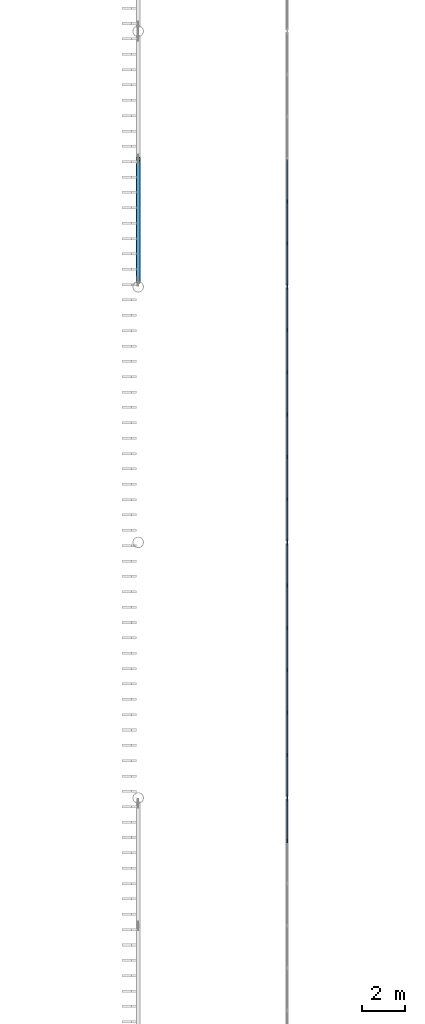
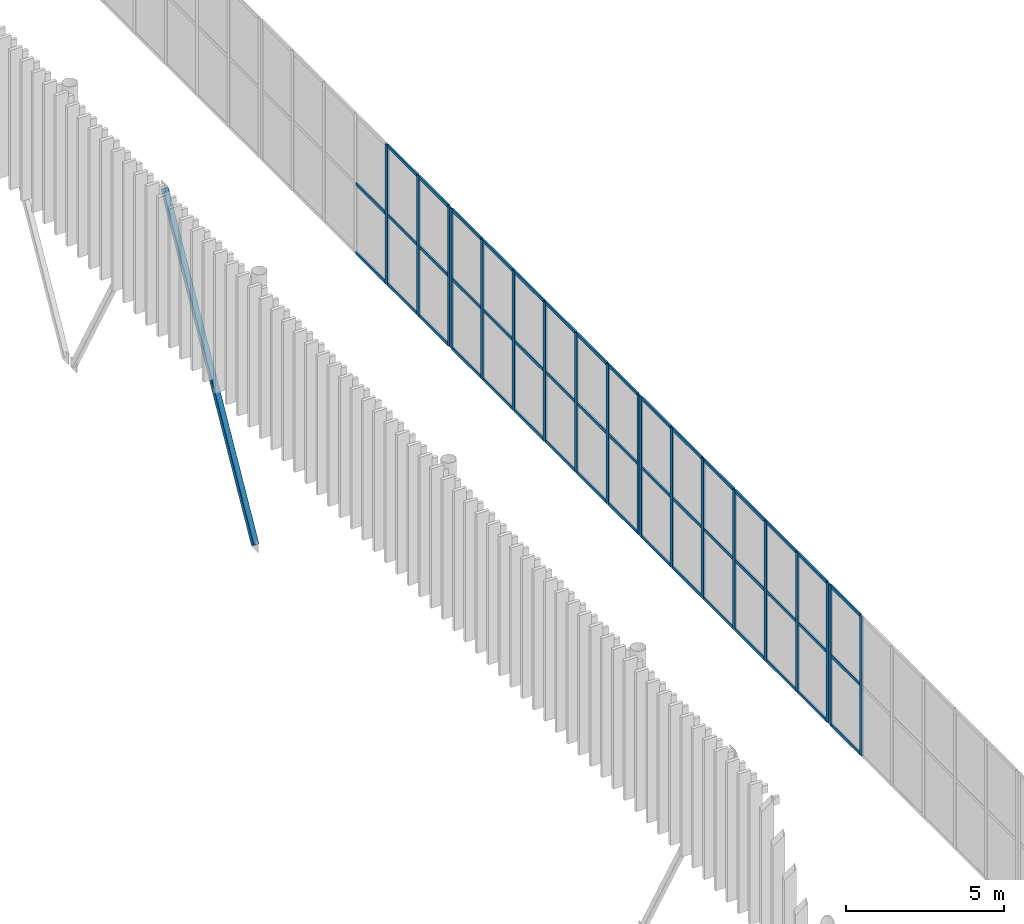
# One storey, part 43 of 170: 67 members, 4 elements without a shape of their own.
"""IFC4 building model written with IfcOpenShell, lengths in metres."""

from ifc_helpers import new_model, si_unit, direction, frame, origin, origin_2d, place, context, subcontext, project, spatial, rectangle, hollow_rectangle, extrude, material, layer, layer_set, material_profile, profile_set, type_object, element, aggregate, save


model = new_model("IFC4")

# Units and contexts
model_context = context("Model", 3, precision=1e-05, world=origin(), true_north=direction((0.0, 1.0)))
body_context = subcontext(model_context, "Body", "Model", "MODEL_VIEW")
ifc_project = project(units=[si_unit("LENGTHUNIT", "METRE"), si_unit("AREAUNIT", "SQUARE_METRE"), si_unit("VOLUMEUNIT", "CUBIC_METRE"), si_unit("PLANEANGLEUNIT", "RADIAN"), si_unit("MASSUNIT", "GRAM", prefix="KILO")], contexts=[model_context])

# Site, building, storey
site_placement = place(None, origin())
site = spatial("IfcSite", under=ifc_project, at=site_placement, CompositionType="ELEMENT")
building_placement = place(site_placement, origin())
building = spatial("IfcBuilding", under=site, at=building_placement, Name="Ravi Spectrum Wholesale Market", CompositionType="ELEMENT")
storey_placement = place(building_placement, frame((0.0, 0.0, 5.39990234375)))
storey = spatial("IfcBuildingStorey", under=building, at=storey_placement, Name="L01", CompositionType="ELEMENT", Elevation=5.39990234375)

# Curtain wall, members
ifc_material_1 = material(Name="Aluminium 6063-T6", Category="aluminium")
ifc_layer = layer(ifc_material_1, 0.14990234375)
ifc_layer_set = layer_set([ifc_layer], Name="Aluminium 6063-T6")
curtain_wall_type = type_object("IfcCurtainWallType", Name="Curtain wall 150", PredefinedType="NOTDEFINED", material=ifc_layer_set)
curtain_wall_1_placement = place(storey_placement, origin())
curtain_wall_1 = element("IfcCurtainWall", 1, at=curtain_wall_1_placement, inside=storey, type_object=curtain_wall_type, Name="H1-CW-L01-004", PredefinedType="NOTDEFINED")
ifc_material_2 = material(Name="Aluminium 6063-T6", Category="aluminium")
ifc_material_profile_1 = material_profile(ifc_material_2, rectangle(XDim=0.06005859375, YDim=0.159912109375, at=origin_2d()))
ifc_profile_set_1 = profile_set([ifc_material_profile_1], Name="Aluminium 6063-T6")
member_type_1 = type_object("IfcMemberType", Name="Mullion 60 x 160", PredefinedType="MULLION", material=ifc_profile_set_1)
member_1_placement = place(storey_placement, frame((37.0, 75.973388671875, 0.0), z_axis=(0.0, 0.0, 1.0), x_axis=(-1.0, 0.0, 0.0)))
member_1 = element("IfcMember", 2, at=member_1_placement, type_object=member_type_1, Name="H1-CW-L01-004 mullion 6", PredefinedType="MULLION", context=body_context, shape_type="SweptSolid", body=[
    extrude(rectangle(XDim=0.06005859375, YDim=0.159912109375, at=origin_2d()), origin(), (0.0, 0.0, 1.0), 5.400146484375),
])
member_2_placement = place(storey_placement, frame((37.0, 77.929931640625, 0.0), z_axis=(0.0, 0.0, 1.0), x_axis=(-1.0, 0.0, 0.0)))
member_2 = element("IfcMember", 3, at=member_2_placement, type_object=member_type_1, Name="H1-CW-L01-004 mullion 7", PredefinedType="MULLION", context=body_context, shape_type="SweptSolid", body=[
    extrude(rectangle(XDim=0.06005859375, YDim=0.159912109375, at=origin_2d()), origin(), (0.0, 0.0, 1.0), 5.400146484375),
])

curtain_wall_2_placement = place(storey_placement, origin())
curtain_wall_2 = element("IfcCurtainWall", 4, at=curtain_wall_2_placement, inside=storey, type_object=curtain_wall_type, Name="H1-CW-L01-005", PredefinedType="NOTDEFINED")
member_3_placement = place(storey_placement, frame((37.0, 78.070068359375, 0.0), z_axis=(0.0, 0.0, 1.0), x_axis=(-1.0, 0.0, 0.0)))
member_3 = element("IfcMember", 5, at=member_3_placement, type_object=member_type_1, Name="H1-CW-L01-005 mullion 1", PredefinedType="MULLION", context=body_context, shape_type="SweptSolid", body=[
    extrude(rectangle(XDim=0.06005859375, YDim=0.159912109375, at=origin_2d()), origin(), (0.0, 0.0, 1.0), 5.400146484375),
])
member_4_placement = place(storey_placement, frame((37.0, 80.026611328125, 0.0), z_axis=(0.0, 0.0, 1.0), x_axis=(-1.0, 0.0, 0.0)))
member_4 = element("IfcMember", 6, at=member_4_placement, type_object=member_type_1, Name="H1-CW-L01-005 mullion 2", PredefinedType="MULLION", context=body_context, shape_type="SweptSolid", body=[
    extrude(rectangle(XDim=0.06005859375, YDim=0.159912109375, at=origin_2d()), origin(), (0.0, 0.0, 1.0), 5.400146484375),
])
member_5_placement = place(storey_placement, frame((37.0, 82.013427734375, 0.0), z_axis=(0.0, 0.0, 1.0), x_axis=(-1.0, 0.0, 0.0)))
member_5 = element("IfcMember", 7, at=member_5_placement, type_object=member_type_1, Name="H1-CW-L01-005 mullion 3", PredefinedType="MULLION", context=body_context, shape_type="SweptSolid", body=[
    extrude(rectangle(XDim=0.06005859375, YDim=0.159912109375, at=origin_2d()), origin(), (0.0, 0.0, 1.0), 5.400146484375),
])
member_6_placement = place(storey_placement, frame((37.0, 84.0, 0.0), z_axis=(0.0, 0.0, 1.0), x_axis=(-1.0, 0.0, 0.0)))
member_6 = element("IfcMember", 8, at=member_6_placement, type_object=member_type_1, Name="H1-CW-L01-005 mullion 4", PredefinedType="MULLION", context=body_context, shape_type="SweptSolid", body=[
    extrude(rectangle(XDim=0.06005859375, YDim=0.159912109375, at=origin_2d()), origin(), (0.0, 0.0, 1.0), 5.400146484375),
])
member_7_placement = place(storey_placement, frame((37.0, 85.986572265625, 0.0), z_axis=(0.0, 0.0, 1.0), x_axis=(-1.0, 0.0, 0.0)))
member_7 = element("IfcMember", 9, at=member_7_placement, type_object=member_type_1, Name="H1-CW-L01-005 mullion 5", PredefinedType="MULLION", context=body_context, shape_type="SweptSolid", body=[
    extrude(rectangle(XDim=0.06005859375, YDim=0.159912109375, at=origin_2d()), origin(), (0.0, 0.0, 1.0), 5.400146484375),
])
member_8_placement = place(storey_placement, frame((37.0, 87.973388671875, 0.0), z_axis=(0.0, 0.0, 1.0), x_axis=(-1.0, 0.0, 0.0)))
member_8 = element("IfcMember", 10, at=member_8_placement, type_object=member_type_1, Name="H1-CW-L01-005 mullion 6", PredefinedType="MULLION", context=body_context, shape_type="SweptSolid", body=[
    extrude(rectangle(XDim=0.06005859375, YDim=0.159912109375, at=origin_2d()), origin(), (0.0, 0.0, 1.0), 5.400146484375),
])
member_9_placement = place(storey_placement, frame((37.0, 89.929931640625, 0.0), z_axis=(0.0, 0.0, 1.0), x_axis=(-1.0, 0.0, 0.0)))
member_9 = element("IfcMember", 11, at=member_9_placement, type_object=member_type_1, Name="H1-CW-L01-005 mullion 7", PredefinedType="MULLION", context=body_context, shape_type="SweptSolid", body=[
    extrude(rectangle(XDim=0.06005859375, YDim=0.159912109375, at=origin_2d()), origin(), (0.0, 0.0, 1.0), 5.400146484375),
])

curtain_wall_3_placement = place(storey_placement, origin())
curtain_wall_3 = element("IfcCurtainWall", 12, at=curtain_wall_3_placement, inside=storey, type_object=curtain_wall_type, Name="H1-CW-L01-006", PredefinedType="NOTDEFINED")
member_10_placement = place(storey_placement, frame((37.0, 90.070068359375, 0.0), z_axis=(0.0, 0.0, 1.0), x_axis=(-1.0, 0.0, 0.0)))
member_10 = element("IfcMember", 13, at=member_10_placement, type_object=member_type_1, Name="H1-CW-L01-006 mullion 1", PredefinedType="MULLION", context=body_context, shape_type="SweptSolid", body=[
    extrude(rectangle(XDim=0.06005859375, YDim=0.159912109375, at=origin_2d()), origin(), (0.0, 0.0, 1.0), 5.400146484375),
])
member_11_placement = place(storey_placement, frame((37.0, 92.026611328125, 0.0), z_axis=(0.0, 0.0, 1.0), x_axis=(-1.0, 0.0, 0.0)))
member_11 = element("IfcMember", 14, at=member_11_placement, type_object=member_type_1, Name="H1-CW-L01-006 mullion 2", PredefinedType="MULLION", context=body_context, shape_type="SweptSolid", body=[
    extrude(rectangle(XDim=0.06005859375, YDim=0.159912109375, at=origin_2d()), origin(), (0.0, 0.0, 1.0), 5.400146484375),
])
member_12_placement = place(storey_placement, frame((37.0, 94.013427734375, 0.0), z_axis=(0.0, 0.0, 1.0), x_axis=(-1.0, 0.0, 0.0)))
member_12 = element("IfcMember", 15, at=member_12_placement, type_object=member_type_1, Name="H1-CW-L01-006 mullion 3", PredefinedType="MULLION", context=body_context, shape_type="SweptSolid", body=[
    extrude(rectangle(XDim=0.06005859375, YDim=0.159912109375, at=origin_2d()), origin(), (0.0, 0.0, 1.0), 5.400146484375),
])
member_13_placement = place(storey_placement, frame((37.0, 96.0, 0.0), z_axis=(0.0, 0.0, 1.0), x_axis=(-1.0, 0.0, 0.0)))
member_13 = element("IfcMember", 16, at=member_13_placement, type_object=member_type_1, Name="H1-CW-L01-006 mullion 4", PredefinedType="MULLION", context=body_context, shape_type="SweptSolid", body=[
    extrude(rectangle(XDim=0.06005859375, YDim=0.159912109375, at=origin_2d()), origin(), (0.0, 0.0, 1.0), 5.400146484375),
])
member_14_placement = place(storey_placement, frame((37.0, 97.986572265625, 0.0), z_axis=(0.0, 0.0, 1.0), x_axis=(-1.0, 0.0, 0.0)))
member_14 = element("IfcMember", 17, at=member_14_placement, type_object=member_type_1, Name="H1-CW-L01-006 mullion 5", PredefinedType="MULLION", context=body_context, shape_type="SweptSolid", body=[
    extrude(rectangle(XDim=0.06005859375, YDim=0.159912109375, at=origin_2d()), origin(), (0.0, 0.0, 1.0), 5.400146484375),
])
member_15_placement = place(storey_placement, frame((37.0, 99.973388671875, 0.0), z_axis=(0.0, 0.0, 1.0), x_axis=(-1.0, 0.0, 0.0)))
member_15 = element("IfcMember", 18, at=member_15_placement, type_object=member_type_1, Name="H1-CW-L01-006 mullion 6", PredefinedType="MULLION", context=body_context, shape_type="SweptSolid", body=[
    extrude(rectangle(XDim=0.06005859375, YDim=0.159912109375, at=origin_2d()), origin(), (0.0, 0.0, 1.0), 5.400146484375),
])
member_16_placement = place(storey_placement, frame((37.0, 101.929931640625, 0.0), z_axis=(0.0, 0.0, 1.0), x_axis=(-1.0, 0.0, 0.0)))
member_16 = element("IfcMember", 19, at=member_16_placement, type_object=member_type_1, Name="H1-CW-L01-006 mullion 7", PredefinedType="MULLION", context=body_context, shape_type="SweptSolid", body=[
    extrude(rectangle(XDim=0.06005859375, YDim=0.159912109375, at=origin_2d()), origin(), (0.0, 0.0, 1.0), 5.400146484375),
])

curtain_wall_4_placement = place(storey_placement, origin())
curtain_wall_4 = element("IfcCurtainWall", 20, at=curtain_wall_4_placement, inside=storey, type_object=curtain_wall_type, Name="H1-CW-L01-007", PredefinedType="NOTDEFINED")
member_17_placement = place(storey_placement, frame((37.0, 102.070068359375, 0.0), z_axis=(0.0, 0.0, 1.0), x_axis=(-1.0, 0.0, 0.0)))
member_17 = element("IfcMember", 21, at=member_17_placement, type_object=member_type_1, Name="H1-CW-L01-007 mullion 1", PredefinedType="MULLION", context=body_context, shape_type="SweptSolid", body=[
    extrude(rectangle(XDim=0.06005859375, YDim=0.159912109375, at=origin_2d()), origin(), (0.0, 0.0, 1.0), 5.400146484375),
])
member_18_placement = place(storey_placement, frame((37.0, 104.026611328125, 0.0), z_axis=(0.0, 0.0, 1.0), x_axis=(-1.0, 0.0, 0.0)))
member_18 = element("IfcMember", 22, at=member_18_placement, type_object=member_type_1, Name="H1-CW-L01-007 mullion 2", PredefinedType="MULLION", context=body_context, shape_type="SweptSolid", body=[
    extrude(rectangle(XDim=0.06005859375, YDim=0.159912109375, at=origin_2d()), origin(), (0.0, 0.0, 1.0), 5.400146484375),
])
member_19_placement = place(storey_placement, frame((37.0, 106.013427734375, 0.0), z_axis=(0.0, 0.0, 1.0), x_axis=(-1.0, 0.0, 0.0)))
member_19 = element("IfcMember", 23, at=member_19_placement, type_object=member_type_1, Name="H1-CW-L01-007 mullion 3", PredefinedType="MULLION", context=body_context, shape_type="SweptSolid", body=[
    extrude(rectangle(XDim=0.06005859375, YDim=0.159912109375, at=origin_2d()), origin(), (0.0, 0.0, 1.0), 5.400146484375),
])

# Member
ifc_material_3 = material(Name="Steel S355", Category="steel")
ifc_material_profile_2 = material_profile(ifc_material_3, hollow_rectangle(XDim=0.199951171875, YDim=0.199951171875, WallThickness=0.008056640625, InnerFilletRadius=0.008056640625, OuterFilletRadius=0.01611328125, at=origin_2d()))
ifc_profile_set_2 = profile_set([ifc_material_profile_2], Name="Steel S355")
member_type_2 = type_object("IfcMemberType", Name="SHS 200x200x8 brace", PredefinedType="BRACE", material=ifc_profile_set_2)
member_20_placement = place(storey_placement, frame((30.0, 102.25390625, -5.350830078125), z_axis=(0.0, 0.487151805571, 0.873317306784), x_axis=(-1.0, 0.0, 0.0)))
element("IfcMember", 24, at=member_20_placement, inside=storey, type_object=member_type_2, Name="H1-MB-L01-005", PredefinedType="BRACE", context=body_context, shape_type="SweptSolid", body=[
    extrude(hollow_rectangle(XDim=0.199951171875, YDim=0.199951171875, WallThickness=0.008056640625, InnerFilletRadius=0.008056640625, OuterFilletRadius=0.01611328125, at=origin_2d()), origin(), (0.0, 0.0, 1.0), 11.795166015625),
])

ifc_material_4 = material(Name="Aluminium 6063-T6", Category="aluminium")
ifc_material_profile_3 = material_profile(ifc_material_4, rectangle(XDim=0.06005859375, YDim=0.1201171875, at=origin_2d()))
ifc_profile_set_3 = profile_set([ifc_material_profile_3], Name="Aluminium 6063-T6")
member_type_3 = type_object("IfcMemberType", Name="Transom 60 x 120", PredefinedType="USERDEFINED", material=ifc_profile_set_3)
member_21_placement = place(storey_placement, frame((37.0, 76.00341796875, 0.030029296875), z_axis=(0.0, 1.0, 0.0), x_axis=(-1.0, 0.0, 0.0)))
member_21 = element("IfcMember", 25, at=member_21_placement, type_object=member_type_3, Name="H1-CW-L01-004 transom 6.1", ObjectType="TRANSOM", PredefinedType="USERDEFINED", context=body_context, shape_type="SweptSolid", body=[
    extrude(rectangle(XDim=0.06005859375, YDim=0.1201171875, at=origin_2d()), origin(), (0.0, 0.0, 1.0), 1.896484375),
])

member_22_placement = place(storey_placement, frame((37.0, 76.00341796875, 2.7001953125), z_axis=(0.0, 1.0, 0.0), x_axis=(-1.0, 0.0, 0.0)))
member_22 = element("IfcMember", 26, at=member_22_placement, type_object=member_type_3, Name="H1-CW-L01-004 transom 6.2", ObjectType="TRANSOM", PredefinedType="USERDEFINED", context=body_context, shape_type="SweptSolid", body=[
    extrude(rectangle(XDim=0.06005859375, YDim=0.1201171875, at=origin_2d()), origin(), (0.0, 0.0, 1.0), 1.896484375),
])

member_23_placement = place(storey_placement, frame((37.0, 76.00341796875, 5.3701171875), z_axis=(0.0, 1.0, 0.0), x_axis=(-1.0, 0.0, 0.0)))
member_23 = element("IfcMember", 27, at=member_23_placement, type_object=member_type_3, Name="H1-CW-L01-004 transom 6.3", ObjectType="TRANSOM", PredefinedType="USERDEFINED", context=body_context, shape_type="SweptSolid", body=[
    extrude(rectangle(XDim=0.06005859375, YDim=0.1201171875, at=origin_2d()), origin(), (0.0, 0.0, 1.0), 1.896484375),
])

aggregate(curtain_wall_1, [member_1, member_2, member_21, member_22, member_23])

member_24_placement = place(storey_placement, frame((37.0, 78.10009765625, 0.030029296875), z_axis=(0.0, 1.0, 0.0), x_axis=(-1.0, 0.0, 0.0)))
member_24 = element("IfcMember", 28, at=member_24_placement, type_object=member_type_3, Name="H1-CW-L01-005 transom 1.1", ObjectType="TRANSOM", PredefinedType="USERDEFINED", context=body_context, shape_type="SweptSolid", body=[
    extrude(rectangle(XDim=0.06005859375, YDim=0.1201171875, at=origin_2d()), origin(), (0.0, 0.0, 1.0), 1.896484375),
])

member_25_placement = place(storey_placement, frame((37.0, 78.10009765625, 2.7001953125), z_axis=(0.0, 1.0, 0.0), x_axis=(-1.0, 0.0, 0.0)))
member_25 = element("IfcMember", 29, at=member_25_placement, type_object=member_type_3, Name="H1-CW-L01-005 transom 1.2", ObjectType="TRANSOM", PredefinedType="USERDEFINED", context=body_context, shape_type="SweptSolid", body=[
    extrude(rectangle(XDim=0.06005859375, YDim=0.1201171875, at=origin_2d()), origin(), (0.0, 0.0, 1.0), 1.896484375),
])

member_26_placement = place(storey_placement, frame((37.0, 78.10009765625, 5.3701171875), z_axis=(0.0, 1.0, 0.0), x_axis=(-1.0, 0.0, 0.0)))
member_26 = element("IfcMember", 30, at=member_26_placement, type_object=member_type_3, Name="H1-CW-L01-005 transom 1.3", ObjectType="TRANSOM", PredefinedType="USERDEFINED", context=body_context, shape_type="SweptSolid", body=[
    extrude(rectangle(XDim=0.06005859375, YDim=0.1201171875, at=origin_2d()), origin(), (0.0, 0.0, 1.0), 1.896484375),
])

member_27_placement = place(storey_placement, frame((37.0, 80.056640625, 0.030029296875), z_axis=(0.0, 1.0, 0.0), x_axis=(-1.0, 0.0, 0.0)))
member_27 = element("IfcMember", 31, at=member_27_placement, type_object=member_type_3, Name="H1-CW-L01-005 transom 2.1", ObjectType="TRANSOM", PredefinedType="USERDEFINED", context=body_context, shape_type="SweptSolid", body=[
    extrude(rectangle(XDim=0.06005859375, YDim=0.1201171875, at=origin_2d()), origin(), (0.0, 0.0, 1.0), 1.9267578125),
])

member_28_placement = place(storey_placement, frame((37.0, 80.056640625, 2.7001953125), z_axis=(0.0, 1.0, 0.0), x_axis=(-1.0, 0.0, 0.0)))
member_28 = element("IfcMember", 32, at=member_28_placement, type_object=member_type_3, Name="H1-CW-L01-005 transom 2.2", ObjectType="TRANSOM", PredefinedType="USERDEFINED", context=body_context, shape_type="SweptSolid", body=[
    extrude(rectangle(XDim=0.06005859375, YDim=0.1201171875, at=origin_2d()), origin(), (0.0, 0.0, 1.0), 1.9267578125),
])

member_29_placement = place(storey_placement, frame((37.0, 80.056640625, 5.3701171875), z_axis=(0.0, 1.0, 0.0), x_axis=(-1.0, 0.0, 0.0)))
member_29 = element("IfcMember", 33, at=member_29_placement, type_object=member_type_3, Name="H1-CW-L01-005 transom 2.3", ObjectType="TRANSOM", PredefinedType="USERDEFINED", context=body_context, shape_type="SweptSolid", body=[
    extrude(rectangle(XDim=0.06005859375, YDim=0.1201171875, at=origin_2d()), origin(), (0.0, 0.0, 1.0), 1.9267578125),
])

member_30_placement = place(storey_placement, frame((37.0, 82.043212890625, 0.030029296875), z_axis=(0.0, 1.0, 0.0), x_axis=(-1.0, 0.0, 0.0)))
member_30 = element("IfcMember", 34, at=member_30_placement, type_object=member_type_3, Name="H1-CW-L01-005 transom 3.1", ObjectType="TRANSOM", PredefinedType="USERDEFINED", context=body_context, shape_type="SweptSolid", body=[
    extrude(rectangle(XDim=0.06005859375, YDim=0.1201171875, at=origin_2d()), origin(), (0.0, 0.0, 1.0), 1.9267578125),
])

member_31_placement = place(storey_placement, frame((37.0, 82.043212890625, 2.7001953125), z_axis=(0.0, 1.0, 0.0), x_axis=(-1.0, 0.0, 0.0)))
member_31 = element("IfcMember", 35, at=member_31_placement, type_object=member_type_3, Name="H1-CW-L01-005 transom 3.2", ObjectType="TRANSOM", PredefinedType="USERDEFINED", context=body_context, shape_type="SweptSolid", body=[
    extrude(rectangle(XDim=0.06005859375, YDim=0.1201171875, at=origin_2d()), origin(), (0.0, 0.0, 1.0), 1.9267578125),
])

member_32_placement = place(storey_placement, frame((37.0, 82.043212890625, 5.3701171875), z_axis=(0.0, 1.0, 0.0), x_axis=(-1.0, 0.0, 0.0)))
member_32 = element("IfcMember", 36, at=member_32_placement, type_object=member_type_3, Name="H1-CW-L01-005 transom 3.3", ObjectType="TRANSOM", PredefinedType="USERDEFINED", context=body_context, shape_type="SweptSolid", body=[
    extrude(rectangle(XDim=0.06005859375, YDim=0.1201171875, at=origin_2d()), origin(), (0.0, 0.0, 1.0), 1.9267578125),
])

member_33_placement = place(storey_placement, frame((37.0, 84.030029296875, 0.030029296875), z_axis=(0.0, 1.0, 0.0), x_axis=(-1.0, 0.0, 0.0)))
member_33 = element("IfcMember", 37, at=member_33_placement, type_object=member_type_3, Name="H1-CW-L01-005 transom 4.1", ObjectType="TRANSOM", PredefinedType="USERDEFINED", context=body_context, shape_type="SweptSolid", body=[
    extrude(rectangle(XDim=0.06005859375, YDim=0.1201171875, at=origin_2d()), origin(), (0.0, 0.0, 1.0), 1.9267578125),
])

member_34_placement = place(storey_placement, frame((37.0, 84.030029296875, 2.7001953125), z_axis=(0.0, 1.0, 0.0), x_axis=(-1.0, 0.0, 0.0)))
member_34 = element("IfcMember", 38, at=member_34_placement, type_object=member_type_3, Name="H1-CW-L01-005 transom 4.2", ObjectType="TRANSOM", PredefinedType="USERDEFINED", context=body_context, shape_type="SweptSolid", body=[
    extrude(rectangle(XDim=0.06005859375, YDim=0.1201171875, at=origin_2d()), origin(), (0.0, 0.0, 1.0), 1.9267578125),
])

member_35_placement = place(storey_placement, frame((37.0, 84.030029296875, 5.3701171875), z_axis=(0.0, 1.0, 0.0), x_axis=(-1.0, 0.0, 0.0)))
member_35 = element("IfcMember", 39, at=member_35_placement, type_object=member_type_3, Name="H1-CW-L01-005 transom 4.3", ObjectType="TRANSOM", PredefinedType="USERDEFINED", context=body_context, shape_type="SweptSolid", body=[
    extrude(rectangle(XDim=0.06005859375, YDim=0.1201171875, at=origin_2d()), origin(), (0.0, 0.0, 1.0), 1.9267578125),
])

member_36_placement = place(storey_placement, frame((37.0, 86.0166015625, 0.030029296875), z_axis=(0.0, 1.0, 0.0), x_axis=(-1.0, 0.0, 0.0)))
member_36 = element("IfcMember", 40, at=member_36_placement, type_object=member_type_3, Name="H1-CW-L01-005 transom 5.1", ObjectType="TRANSOM", PredefinedType="USERDEFINED", context=body_context, shape_type="SweptSolid", body=[
    extrude(rectangle(XDim=0.06005859375, YDim=0.1201171875, at=origin_2d()), origin(), (0.0, 0.0, 1.0), 1.9267578125),
])

member_37_placement = place(storey_placement, frame((37.0, 86.0166015625, 2.7001953125), z_axis=(0.0, 1.0, 0.0), x_axis=(-1.0, 0.0, 0.0)))
member_37 = element("IfcMember", 41, at=member_37_placement, type_object=member_type_3, Name="H1-CW-L01-005 transom 5.2", ObjectType="TRANSOM", PredefinedType="USERDEFINED", context=body_context, shape_type="SweptSolid", body=[
    extrude(rectangle(XDim=0.06005859375, YDim=0.1201171875, at=origin_2d()), origin(), (0.0, 0.0, 1.0), 1.9267578125),
])

member_38_placement = place(storey_placement, frame((37.0, 86.0166015625, 5.3701171875), z_axis=(0.0, 1.0, 0.0), x_axis=(-1.0, 0.0, 0.0)))
member_38 = element("IfcMember", 42, at=member_38_placement, type_object=member_type_3, Name="H1-CW-L01-005 transom 5.3", ObjectType="TRANSOM", PredefinedType="USERDEFINED", context=body_context, shape_type="SweptSolid", body=[
    extrude(rectangle(XDim=0.06005859375, YDim=0.1201171875, at=origin_2d()), origin(), (0.0, 0.0, 1.0), 1.9267578125),
])

member_39_placement = place(storey_placement, frame((37.0, 88.00341796875, 0.030029296875), z_axis=(0.0, 1.0, 0.0), x_axis=(-1.0, 0.0, 0.0)))
member_39 = element("IfcMember", 43, at=member_39_placement, type_object=member_type_3, Name="H1-CW-L01-005 transom 6.1", ObjectType="TRANSOM", PredefinedType="USERDEFINED", context=body_context, shape_type="SweptSolid", body=[
    extrude(rectangle(XDim=0.06005859375, YDim=0.1201171875, at=origin_2d()), origin(), (0.0, 0.0, 1.0), 1.896484375),
])

member_40_placement = place(storey_placement, frame((37.0, 88.00341796875, 2.7001953125), z_axis=(0.0, 1.0, 0.0), x_axis=(-1.0, 0.0, 0.0)))
member_40 = element("IfcMember", 44, at=member_40_placement, type_object=member_type_3, Name="H1-CW-L01-005 transom 6.2", ObjectType="TRANSOM", PredefinedType="USERDEFINED", context=body_context, shape_type="SweptSolid", body=[
    extrude(rectangle(XDim=0.06005859375, YDim=0.1201171875, at=origin_2d()), origin(), (0.0, 0.0, 1.0), 1.896484375),
])

member_41_placement = place(storey_placement, frame((37.0, 88.00341796875, 5.3701171875), z_axis=(0.0, 1.0, 0.0), x_axis=(-1.0, 0.0, 0.0)))
member_41 = element("IfcMember", 45, at=member_41_placement, type_object=member_type_3, Name="H1-CW-L01-005 transom 6.3", ObjectType="TRANSOM", PredefinedType="USERDEFINED", context=body_context, shape_type="SweptSolid", body=[
    extrude(rectangle(XDim=0.06005859375, YDim=0.1201171875, at=origin_2d()), origin(), (0.0, 0.0, 1.0), 1.896484375),
])

aggregate(curtain_wall_2, [member_3, member_4, member_5, member_6, member_7, member_8, member_9, member_24, member_25, member_26, member_27, member_28, member_29, member_30, member_31, member_32, member_33, member_34, member_35, member_36, member_37, member_38, member_39, member_40, member_41])

member_42_placement = place(storey_placement, frame((37.0, 90.10009765625, 0.030029296875), z_axis=(0.0, 1.0, 0.0), x_axis=(-1.0, 0.0, 0.0)))
member_42 = element("IfcMember", 46, at=member_42_placement, type_object=member_type_3, Name="H1-CW-L01-006 transom 1.1", ObjectType="TRANSOM", PredefinedType="USERDEFINED", context=body_context, shape_type="SweptSolid", body=[
    extrude(rectangle(XDim=0.06005859375, YDim=0.1201171875, at=origin_2d()), origin(), (0.0, 0.0, 1.0), 1.896484375),
])

member_43_placement = place(storey_placement, frame((37.0, 90.10009765625, 2.7001953125), z_axis=(0.0, 1.0, 0.0), x_axis=(-1.0, 0.0, 0.0)))
member_43 = element("IfcMember", 47, at=member_43_placement, type_object=member_type_3, Name="H1-CW-L01-006 transom 1.2", ObjectType="TRANSOM", PredefinedType="USERDEFINED", context=body_context, shape_type="SweptSolid", body=[
    extrude(rectangle(XDim=0.06005859375, YDim=0.1201171875, at=origin_2d()), origin(), (0.0, 0.0, 1.0), 1.896484375),
])

member_44_placement = place(storey_placement, frame((37.0, 90.10009765625, 5.3701171875), z_axis=(0.0, 1.0, 0.0), x_axis=(-1.0, 0.0, 0.0)))
member_44 = element("IfcMember", 48, at=member_44_placement, type_object=member_type_3, Name="H1-CW-L01-006 transom 1.3", ObjectType="TRANSOM", PredefinedType="USERDEFINED", context=body_context, shape_type="SweptSolid", body=[
    extrude(rectangle(XDim=0.06005859375, YDim=0.1201171875, at=origin_2d()), origin(), (0.0, 0.0, 1.0), 1.896484375),
])

member_45_placement = place(storey_placement, frame((37.0, 92.056640625, 0.030029296875), z_axis=(0.0, 1.0, 0.0), x_axis=(-1.0, 0.0, 0.0)))
member_45 = element("IfcMember", 49, at=member_45_placement, type_object=member_type_3, Name="H1-CW-L01-006 transom 2.1", ObjectType="TRANSOM", PredefinedType="USERDEFINED", context=body_context, shape_type="SweptSolid", body=[
    extrude(rectangle(XDim=0.06005859375, YDim=0.1201171875, at=origin_2d()), origin(), (0.0, 0.0, 1.0), 1.9267578125),
])

member_46_placement = place(storey_placement, frame((37.0, 92.056640625, 2.7001953125), z_axis=(0.0, 1.0, 0.0), x_axis=(-1.0, 0.0, 0.0)))
member_46 = element("IfcMember", 50, at=member_46_placement, type_object=member_type_3, Name="H1-CW-L01-006 transom 2.2", ObjectType="TRANSOM", PredefinedType="USERDEFINED", context=body_context, shape_type="SweptSolid", body=[
    extrude(rectangle(XDim=0.06005859375, YDim=0.1201171875, at=origin_2d()), origin(), (0.0, 0.0, 1.0), 1.9267578125),
])

member_47_placement = place(storey_placement, frame((37.0, 92.056640625, 5.3701171875), z_axis=(0.0, 1.0, 0.0), x_axis=(-1.0, 0.0, 0.0)))
member_47 = element("IfcMember", 51, at=member_47_placement, type_object=member_type_3, Name="H1-CW-L01-006 transom 2.3", ObjectType="TRANSOM", PredefinedType="USERDEFINED", context=body_context, shape_type="SweptSolid", body=[
    extrude(rectangle(XDim=0.06005859375, YDim=0.1201171875, at=origin_2d()), origin(), (0.0, 0.0, 1.0), 1.9267578125),
])

member_48_placement = place(storey_placement, frame((37.0, 94.043212890625, 0.030029296875), z_axis=(0.0, 1.0, 0.0), x_axis=(-1.0, 0.0, 0.0)))
member_48 = element("IfcMember", 52, at=member_48_placement, type_object=member_type_3, Name="H1-CW-L01-006 transom 3.1", ObjectType="TRANSOM", PredefinedType="USERDEFINED", context=body_context, shape_type="SweptSolid", body=[
    extrude(rectangle(XDim=0.06005859375, YDim=0.1201171875, at=origin_2d()), origin(), (0.0, 0.0, 1.0), 1.9267578125),
])

member_49_placement = place(storey_placement, frame((37.0, 94.043212890625, 2.7001953125), z_axis=(0.0, 1.0, 0.0), x_axis=(-1.0, 0.0, 0.0)))
member_49 = element("IfcMember", 53, at=member_49_placement, type_object=member_type_3, Name="H1-CW-L01-006 transom 3.2", ObjectType="TRANSOM", PredefinedType="USERDEFINED", context=body_context, shape_type="SweptSolid", body=[
    extrude(rectangle(XDim=0.06005859375, YDim=0.1201171875, at=origin_2d()), origin(), (0.0, 0.0, 1.0), 1.9267578125),
])

member_50_placement = place(storey_placement, frame((37.0, 94.043212890625, 5.3701171875), z_axis=(0.0, 1.0, 0.0), x_axis=(-1.0, 0.0, 0.0)))
member_50 = element("IfcMember", 54, at=member_50_placement, type_object=member_type_3, Name="H1-CW-L01-006 transom 3.3", ObjectType="TRANSOM", PredefinedType="USERDEFINED", context=body_context, shape_type="SweptSolid", body=[
    extrude(rectangle(XDim=0.06005859375, YDim=0.1201171875, at=origin_2d()), origin(), (0.0, 0.0, 1.0), 1.9267578125),
])

member_51_placement = place(storey_placement, frame((37.0, 96.030029296875, 0.030029296875), z_axis=(0.0, 1.0, 0.0), x_axis=(-1.0, 0.0, 0.0)))
member_51 = element("IfcMember", 55, at=member_51_placement, type_object=member_type_3, Name="H1-CW-L01-006 transom 4.1", ObjectType="TRANSOM", PredefinedType="USERDEFINED", context=body_context, shape_type="SweptSolid", body=[
    extrude(rectangle(XDim=0.06005859375, YDim=0.1201171875, at=origin_2d()), origin(), (0.0, 0.0, 1.0), 1.9267578125),
])

member_52_placement = place(storey_placement, frame((37.0, 96.030029296875, 2.7001953125), z_axis=(0.0, 1.0, 0.0), x_axis=(-1.0, 0.0, 0.0)))
member_52 = element("IfcMember", 56, at=member_52_placement, type_object=member_type_3, Name="H1-CW-L01-006 transom 4.2", ObjectType="TRANSOM", PredefinedType="USERDEFINED", context=body_context, shape_type="SweptSolid", body=[
    extrude(rectangle(XDim=0.06005859375, YDim=0.1201171875, at=origin_2d()), origin(), (0.0, 0.0, 1.0), 1.9267578125),
])

member_53_placement = place(storey_placement, frame((37.0, 96.030029296875, 5.3701171875), z_axis=(0.0, 1.0, 0.0), x_axis=(-1.0, 0.0, 0.0)))
member_53 = element("IfcMember", 57, at=member_53_placement, type_object=member_type_3, Name="H1-CW-L01-006 transom 4.3", ObjectType="TRANSOM", PredefinedType="USERDEFINED", context=body_context, shape_type="SweptSolid", body=[
    extrude(rectangle(XDim=0.06005859375, YDim=0.1201171875, at=origin_2d()), origin(), (0.0, 0.0, 1.0), 1.9267578125),
])

member_54_placement = place(storey_placement, frame((37.0, 98.0166015625, 0.030029296875), z_axis=(0.0, 1.0, 0.0), x_axis=(-1.0, 0.0, 0.0)))
member_54 = element("IfcMember", 58, at=member_54_placement, type_object=member_type_3, Name="H1-CW-L01-006 transom 5.1", ObjectType="TRANSOM", PredefinedType="USERDEFINED", context=body_context, shape_type="SweptSolid", body=[
    extrude(rectangle(XDim=0.06005859375, YDim=0.1201171875, at=origin_2d()), origin(), (0.0, 0.0, 1.0), 1.9267578125),
])

member_55_placement = place(storey_placement, frame((37.0, 98.0166015625, 2.7001953125), z_axis=(0.0, 1.0, 0.0), x_axis=(-1.0, 0.0, 0.0)))
member_55 = element("IfcMember", 59, at=member_55_placement, type_object=member_type_3, Name="H1-CW-L01-006 transom 5.2", ObjectType="TRANSOM", PredefinedType="USERDEFINED", context=body_context, shape_type="SweptSolid", body=[
    extrude(rectangle(XDim=0.06005859375, YDim=0.1201171875, at=origin_2d()), origin(), (0.0, 0.0, 1.0), 1.9267578125),
])

member_56_placement = place(storey_placement, frame((37.0, 98.0166015625, 5.3701171875), z_axis=(0.0, 1.0, 0.0), x_axis=(-1.0, 0.0, 0.0)))
member_56 = element("IfcMember", 60, at=member_56_placement, type_object=member_type_3, Name="H1-CW-L01-006 transom 5.3", ObjectType="TRANSOM", PredefinedType="USERDEFINED", context=body_context, shape_type="SweptSolid", body=[
    extrude(rectangle(XDim=0.06005859375, YDim=0.1201171875, at=origin_2d()), origin(), (0.0, 0.0, 1.0), 1.9267578125),
])

member_57_placement = place(storey_placement, frame((37.0, 100.00341796875, 0.030029296875), z_axis=(0.0, 1.0, 0.0), x_axis=(-1.0, 0.0, 0.0)))
member_57 = element("IfcMember", 61, at=member_57_placement, type_object=member_type_3, Name="H1-CW-L01-006 transom 6.1", ObjectType="TRANSOM", PredefinedType="USERDEFINED", context=body_context, shape_type="SweptSolid", body=[
    extrude(rectangle(XDim=0.06005859375, YDim=0.1201171875, at=origin_2d()), origin(), (0.0, 0.0, 1.0), 1.896484375),
])

member_58_placement = place(storey_placement, frame((37.0, 100.00341796875, 2.7001953125), z_axis=(0.0, 1.0, 0.0), x_axis=(-1.0, 0.0, 0.0)))
member_58 = element("IfcMember", 62, at=member_58_placement, type_object=member_type_3, Name="H1-CW-L01-006 transom 6.2", ObjectType="TRANSOM", PredefinedType="USERDEFINED", context=body_context, shape_type="SweptSolid", body=[
    extrude(rectangle(XDim=0.06005859375, YDim=0.1201171875, at=origin_2d()), origin(), (0.0, 0.0, 1.0), 1.896484375),
])

member_59_placement = place(storey_placement, frame((37.0, 100.00341796875, 5.3701171875), z_axis=(0.0, 1.0, 0.0), x_axis=(-1.0, 0.0, 0.0)))
member_59 = element("IfcMember", 63, at=member_59_placement, type_object=member_type_3, Name="H1-CW-L01-006 transom 6.3", ObjectType="TRANSOM", PredefinedType="USERDEFINED", context=body_context, shape_type="SweptSolid", body=[
    extrude(rectangle(XDim=0.06005859375, YDim=0.1201171875, at=origin_2d()), origin(), (0.0, 0.0, 1.0), 1.896484375),
])

aggregate(curtain_wall_3, [member_10, member_11, member_12, member_13, member_14, member_15, member_16, member_42, member_43, member_44, member_45, member_46, member_47, member_48, member_49, member_50, member_51, member_52, member_53, member_54, member_55, member_56, member_57, member_58, member_59])

member_60_placement = place(storey_placement, frame((37.0, 102.10009765625, 0.030029296875), z_axis=(0.0, 1.0, 0.0), x_axis=(-1.0, 0.0, 0.0)))
member_60 = element("IfcMember", 64, at=member_60_placement, type_object=member_type_3, Name="H1-CW-L01-007 transom 1.1", ObjectType="TRANSOM", PredefinedType="USERDEFINED", context=body_context, shape_type="SweptSolid", body=[
    extrude(rectangle(XDim=0.06005859375, YDim=0.1201171875, at=origin_2d()), origin(), (0.0, 0.0, 1.0), 1.896484375),
])

member_61_placement = place(storey_placement, frame((37.0, 102.10009765625, 2.7001953125), z_axis=(0.0, 1.0, 0.0), x_axis=(-1.0, 0.0, 0.0)))
member_61 = element("IfcMember", 65, at=member_61_placement, type_object=member_type_3, Name="H1-CW-L01-007 transom 1.2", ObjectType="TRANSOM", PredefinedType="USERDEFINED", context=body_context, shape_type="SweptSolid", body=[
    extrude(rectangle(XDim=0.06005859375, YDim=0.1201171875, at=origin_2d()), origin(), (0.0, 0.0, 1.0), 1.896484375),
])

member_62_placement = place(storey_placement, frame((37.0, 102.10009765625, 5.3701171875), z_axis=(0.0, 1.0, 0.0), x_axis=(-1.0, 0.0, 0.0)))
member_62 = element("IfcMember", 66, at=member_62_placement, type_object=member_type_3, Name="H1-CW-L01-007 transom 1.3", ObjectType="TRANSOM", PredefinedType="USERDEFINED", context=body_context, shape_type="SweptSolid", body=[
    extrude(rectangle(XDim=0.06005859375, YDim=0.1201171875, at=origin_2d()), origin(), (0.0, 0.0, 1.0), 1.896484375),
])

member_63_placement = place(storey_placement, frame((37.0, 104.056640625, 0.030029296875), z_axis=(0.0, 1.0, 0.0), x_axis=(-1.0, 0.0, 0.0)))
member_63 = element("IfcMember", 67, at=member_63_placement, type_object=member_type_3, Name="H1-CW-L01-007 transom 2.1", ObjectType="TRANSOM", PredefinedType="USERDEFINED", context=body_context, shape_type="SweptSolid", body=[
    extrude(rectangle(XDim=0.06005859375, YDim=0.1201171875, at=origin_2d()), origin(), (0.0, 0.0, 1.0), 1.9267578125),
])

member_64_placement = place(storey_placement, frame((37.0, 104.056640625, 2.7001953125), z_axis=(0.0, 1.0, 0.0), x_axis=(-1.0, 0.0, 0.0)))
member_64 = element("IfcMember", 68, at=member_64_placement, type_object=member_type_3, Name="H1-CW-L01-007 transom 2.2", ObjectType="TRANSOM", PredefinedType="USERDEFINED", context=body_context, shape_type="SweptSolid", body=[
    extrude(rectangle(XDim=0.06005859375, YDim=0.1201171875, at=origin_2d()), origin(), (0.0, 0.0, 1.0), 1.9267578125),
])

member_65_placement = place(storey_placement, frame((37.0, 104.056640625, 5.3701171875), z_axis=(0.0, 1.0, 0.0), x_axis=(-1.0, 0.0, 0.0)))
member_65 = element("IfcMember", 69, at=member_65_placement, type_object=member_type_3, Name="H1-CW-L01-007 transom 2.3", ObjectType="TRANSOM", PredefinedType="USERDEFINED", context=body_context, shape_type="SweptSolid", body=[
    extrude(rectangle(XDim=0.06005859375, YDim=0.1201171875, at=origin_2d()), origin(), (0.0, 0.0, 1.0), 1.9267578125),
])

member_66_placement = place(storey_placement, frame((37.0, 106.043212890625, 0.030029296875), z_axis=(0.0, 1.0, 0.0), x_axis=(-1.0, 0.0, 0.0)))
member_66 = element("IfcMember", 70, at=member_66_placement, type_object=member_type_3, Name="H1-CW-L01-007 transom 3.1", ObjectType="TRANSOM", PredefinedType="USERDEFINED", context=body_context, shape_type="SweptSolid", body=[
    extrude(rectangle(XDim=0.06005859375, YDim=0.1201171875, at=origin_2d()), origin(), (0.0, 0.0, 1.0), 1.9267578125),
])

member_67_placement = place(storey_placement, frame((37.0, 106.043212890625, 2.7001953125), z_axis=(0.0, 1.0, 0.0), x_axis=(-1.0, 0.0, 0.0)))
member_67 = element("IfcMember", 71, at=member_67_placement, type_object=member_type_3, Name="H1-CW-L01-007 transom 3.2", ObjectType="TRANSOM", PredefinedType="USERDEFINED", context=body_context, shape_type="SweptSolid", body=[
    extrude(rectangle(XDim=0.06005859375, YDim=0.1201171875, at=origin_2d()), origin(), (0.0, 0.0, 1.0), 1.9267578125),
])

aggregate(curtain_wall_4, [member_17, member_18, member_19, member_60, member_61, member_62, member_63, member_64, member_65, member_66, member_67])

save(model, "model.ifc")
